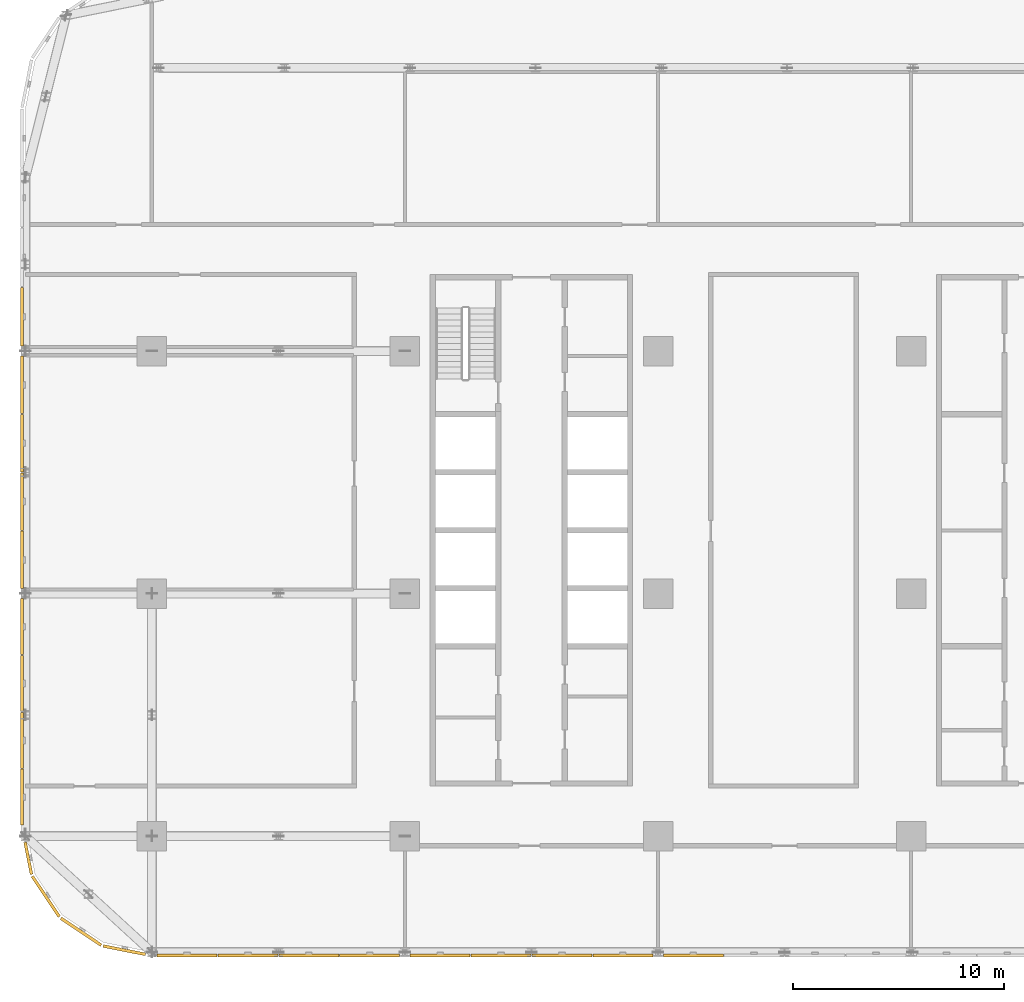
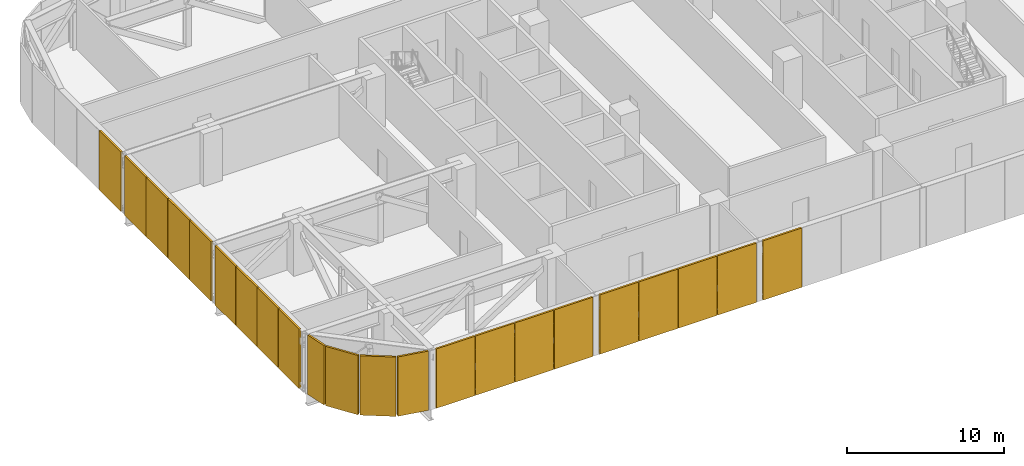
# One storey, part 21 of 26: 22 coverings.
"""IFC4 building model written with IfcOpenShell, lengths in metres."""

from ifc_helpers import new_model, si_unit, direction, frame, origin, origin_2d, place, context, subcontext, project, spatial, rectangle, extrude, material, type_object, element, save


model = new_model("IFC4")

# Units and contexts
model_context = context("Model", 3, precision=1e-05, world=origin(), true_north=direction((0.0, 1.0)))
body_context = subcontext(model_context, "Body", "Model", "MODEL_VIEW")
ifc_project = project(units=[si_unit("LENGTHUNIT", "METRE"), si_unit("AREAUNIT", "SQUARE_METRE"), si_unit("VOLUMEUNIT", "CUBIC_METRE"), si_unit("PLANEANGLEUNIT", "RADIAN"), si_unit("MASSUNIT", "GRAM", prefix="KILO")], contexts=[model_context])

# Site, building, storey
site_placement = place(None, origin())
site = spatial("IfcSite", under=ifc_project, at=site_placement, CompositionType="ELEMENT")
building_placement = place(site_placement, origin())
building = spatial("IfcBuilding", under=site, at=building_placement, Name="Mahtab Terrace Research Tower", CompositionType="ELEMENT")
storey_placement = place(building_placement, frame((0.0, 0.0, 117.60009765625)))
storey = spatial("IfcBuildingStorey", under=building, at=storey_placement, Name="L27", CompositionType="ELEMENT", Elevation=117.60009765625)

# Coverings
ifc_material = material(Name="Natural anodised aluminium", Category="aluminium")
covering_type = type_object("IfcCoveringType", Name="Plant storey louvre bay", PredefinedType="CLADDING", material=ifc_material)
covering_1_placement = place(storey_placement, frame((-48.159912109375, 13.128173828125, -0.55029296875), z_axis=(0.0, 0.0, 1.0), x_axis=(0.0, -1.0, 0.0)))
element("IfcCovering", 1, at=covering_1_placement, inside=storey, type_object=covering_type, Name="Louvre bay L27 59", PredefinedType="CLADDING", context=body_context, shape_type="SweptSolid", body=[
    extrude(rectangle(XDim=2.780517578125, YDim=0.139892578125, at=origin_2d()), origin(), (0.0, 0.0, 1.0), 4.610107421875),
])
for number, where, z_axis, x_axis, name in (
    (2, (-48.159912109375, 9.89892578125, -0.55029296875), (0.0, 0.0, 1.0), (0.0, -1.0, 0.0), "Louvre bay L27 60"),
    (3, (-48.159912109375, 7.133056640625, -0.55029296875), (0.0, 0.0, 1.0), (0.0, -1.0, 0.0), "Louvre bay L27 61"),
    (4, (-48.159912109375, 4.366943359375, -0.55029296875), (0.0, 0.0, 1.0), (0.0, -1.0, 0.0), "Louvre bay L27 62"),
    (5, (-48.159912109375, 1.60107421875, -0.55029296875), (0.0, 0.0, 1.0), (0.0, -1.0, 0.0), "Louvre bay L27 63"),
):
    element("IfcCovering", number, at=place(storey_placement, frame(where, z_axis=z_axis, x_axis=x_axis)), inside=storey, type_object=covering_type, Name=name, PredefinedType="CLADDING", context=body_context, shape_type="SweptSolid", body=[
        extrude(rectangle(XDim=2.72607421875, YDim=0.139892578125, at=origin_2d()), origin(), (0.0, 0.0, 1.0), 4.610107421875),
    ])
for number, where, z_axis, x_axis, name in (
    (6, (-48.159912109375, -1.565673828125, -0.55029296875), (0.0, 0.0, 1.0), (0.0, -1.0, 0.0), "Louvre bay L27 64"),
    (7, (-48.159912109375, -4.26123046875, -0.55029296875), (0.0, 0.0, 1.0), (0.0, -1.0, 0.0), "Louvre bay L27 65"),
    (8, (-48.159912109375, -6.956787109375, -0.55029296875), (0.0, 0.0, 1.0), (0.0, -1.0, 0.0), "Louvre bay L27 66"),
    (9, (-48.159912109375, -9.65234375, -0.55029296875), (0.0, 0.0, 1.0), (0.0, -1.0, 0.0), "Louvre bay L27 67"),
):
    element("IfcCovering", number, at=place(storey_placement, frame(where, z_axis=z_axis, x_axis=x_axis)), inside=storey, type_object=covering_type, Name=name, PredefinedType="CLADDING", context=body_context, shape_type="SweptSolid", body=[
        extrude(rectangle(XDim=2.655517578125, YDim=0.139892578125, at=origin_2d()), origin(), (0.0, 0.0, 1.0), 4.610107421875),
    ])
covering_2_placement = place(storey_placement, frame((-47.85546875, -12.54541015625, -0.55029296875), z_axis=(0.0, 0.0, 1.0), x_axis=(0.195212442692, -0.980760981187, 0.0)))
element("IfcCovering", 10, at=covering_2_placement, inside=storey, type_object=covering_type, Name="Louvre bay L27 68", PredefinedType="CLADDING", context=body_context, shape_type="SweptSolid", body=[
    extrude(rectangle(XDim=1.55419921875, YDim=0.139892578125, at=origin_2d()), origin(), (0.0, 0.0, 1.0), 4.610107421875),
])
for number, where, z_axis, x_axis, name in (
    (11, (-47.026123046875, -14.3583984375, -0.55029296875), (0.0, 0.0, 1.0), (0.555291490808, -0.831655794326, 0.0), "Louvre bay L27 69"),
    (12, (-45.3583984375, -16.026123046875, -0.55029296875), (0.0, 0.0, 1.0), (0.831655794326, -0.555291490808, 0.0), "Louvre bay L27 70"),
):
    element("IfcCovering", number, at=place(storey_placement, frame(where, z_axis=z_axis, x_axis=x_axis)), inside=storey, type_object=covering_type, Name=name, PredefinedType="CLADDING", context=body_context, shape_type="SweptSolid", body=[
        extrude(rectangle(XDim=2.301025390625, YDim=0.139892578125, at=origin_2d()), origin(), (0.0, 0.0, 1.0), 4.610107421875),
    ])
covering_3_placement = place(storey_placement, frame((-43.304931640625, -16.9033203125, -0.55029296875), z_axis=(0.0, 0.0, 1.0), x_axis=(0.980760981187, -0.195212442692, 0.0)))
element("IfcCovering", 13, at=covering_3_placement, inside=storey, type_object=covering_type, Name="Louvre bay L27 71", PredefinedType="CLADDING", context=body_context, shape_type="SweptSolid", body=[
    extrude(rectangle(XDim=2.044677734375, YDim=0.139892578125, at=origin_2d()), origin(), (0.0, 0.0, 1.0), 4.610107421875),
])
for number, where, z_axis, x_axis, name in (
    (14, (-40.33642578125, -17.159912109375, -0.55029296875), (0.0, 0.0, 1.0), (1.0, 0.0, 0.0), "Louvre bay L27 72"),
    (15, (-37.445556640625, -17.159912109375, -0.55029296875), (0.0, 0.0, 1.0), (1.0, 0.0, 0.0), "Louvre bay L27 73"),
):
    element("IfcCovering", number, at=place(storey_placement, frame(where, z_axis=z_axis, x_axis=x_axis)), inside=storey, type_object=covering_type, Name=name, PredefinedType="CLADDING", context=body_context, shape_type="SweptSolid", body=[
        extrude(rectangle(XDim=2.85107421875, YDim=0.139892578125, at=origin_2d()), origin(), (0.0, 0.0, 1.0), 4.610107421875),
    ])
for number, where, z_axis, x_axis, name in (
    (16, (-34.556884765625, -17.159912109375, -0.55029296875), (0.0, 0.0, 1.0), (1.0, 0.0, 0.0), "Louvre bay L27 74"),
    (17, (-31.6708984375, -17.159912109375, -0.55029296875), (0.0, 0.0, 1.0), (1.0, 0.0, 0.0), "Louvre bay L27 75"),
    (18, (-28.3291015625, -17.159912109375, -0.55029296875), (0.0, 0.0, 1.0), (1.0, 0.0, 0.0), "Louvre bay L27 76"),
    (19, (-25.443115234375, -17.159912109375, -0.55029296875), (0.0, 0.0, 1.0), (1.0, 0.0, 0.0), "Louvre bay L27 77"),
    (20, (-22.556884765625, -17.159912109375, -0.55029296875), (0.0, 0.0, 1.0), (1.0, 0.0, 0.0), "Louvre bay L27 78"),
    (21, (-19.6708984375, -17.159912109375, -0.55029296875), (0.0, 0.0, 1.0), (1.0, 0.0, 0.0), "Louvre bay L27 79"),
    (22, (-16.3291015625, -17.159912109375, -0.55029296875), (0.0, 0.0, 1.0), (1.0, 0.0, 0.0), "Louvre bay L27 80"),
):
    element("IfcCovering", number, at=place(storey_placement, frame(where, z_axis=z_axis, x_axis=x_axis)), inside=storey, type_object=covering_type, Name=name, PredefinedType="CLADDING", context=body_context, shape_type="SweptSolid", body=[
        extrude(rectangle(XDim=2.845947265625, YDim=0.139892578125, at=origin_2d()), origin(), (0.0, 0.0, 1.0), 4.610107421875),
    ])

save(model, "model.ifc")
